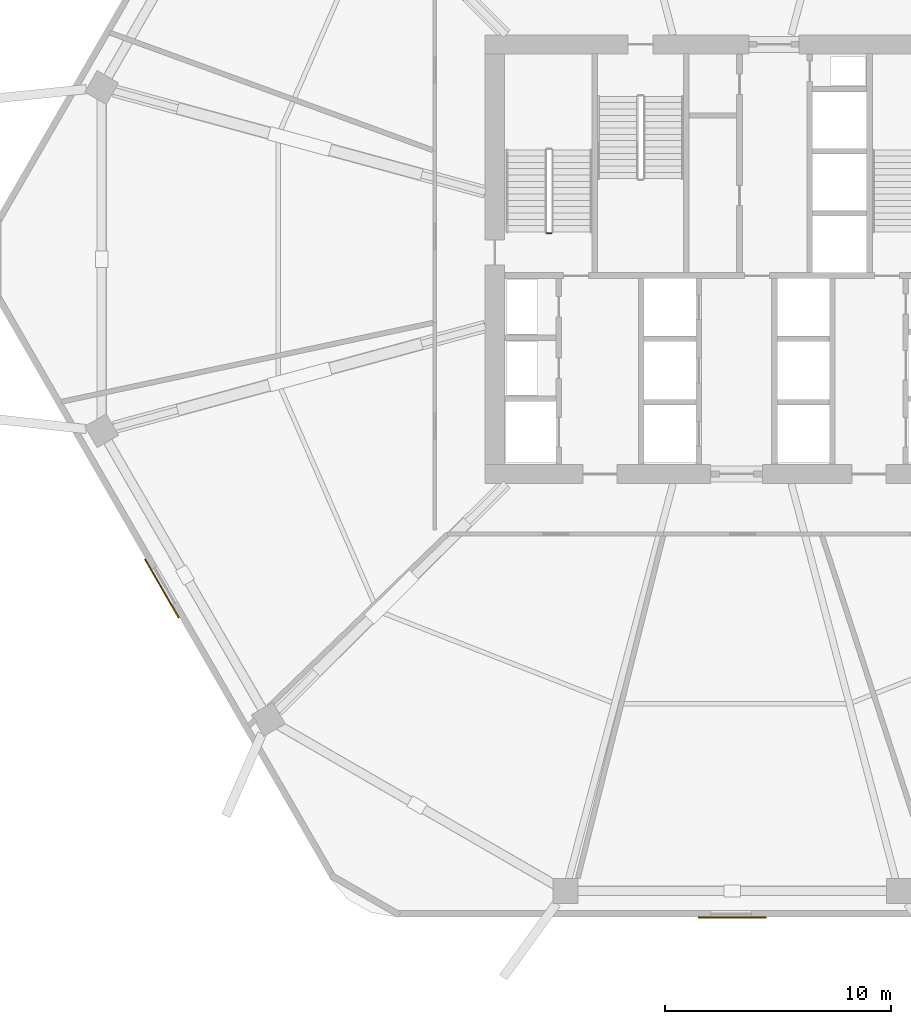
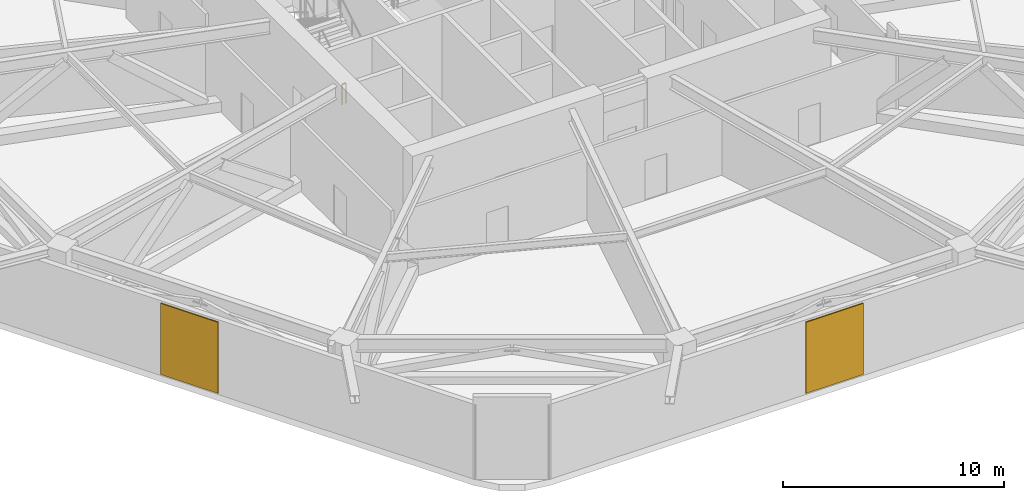
# One storey, part 7 of 10: 2 shading devices, 1 railing.
"""IFC4 building model written with IfcOpenShell, lengths in metres."""

from ifc_helpers import new_model, si_unit, direction, frame, origin, origin_2d, place, context, subcontext, project, spatial, rectangle, extrude, material, layer, layer_set, type_object, element, save


model = new_model("IFC4")

# Units and contexts
model_context = context("Model", 3, precision=1e-05, world=origin(), true_north=direction((0.0, 1.0)))
body_context = subcontext(model_context, "Body", "Model", "MODEL_VIEW")
ifc_project = project(units=[si_unit("LENGTHUNIT", "METRE"), si_unit("AREAUNIT", "SQUARE_METRE"), si_unit("VOLUMEUNIT", "CUBIC_METRE"), si_unit("PLANEANGLEUNIT", "RADIAN"), si_unit("MASSUNIT", "GRAM", prefix="KILO")], contexts=[model_context])

# Site, building, storey
site_placement = place(None, origin())
site = spatial("IfcSite", under=ifc_project, at=site_placement, CompositionType="ELEMENT")
building_placement = place(site_placement, origin())
building = spatial("IfcBuilding", under=site, at=building_placement, Name="Zuhravey Tower", CompositionType="ELEMENT")
storey_placement = place(building_placement, frame((0.0, 0.0, 87.60009765625)))
storey = spatial("IfcBuildingStorey", under=building, at=storey_placement, Name="L21", CompositionType="ELEMENT", Elevation=87.60009765625)

# Shading devices
ifc_material_1 = material(Name="Bronze-anodised perforated aluminium", Category="aluminium")
ifc_layer = layer(ifc_material_1, 0.06005859375)
ifc_layer_set = layer_set([ifc_layer], Name="Bronze-anodised perforated aluminium")
shading_device_type = type_object("IfcShadingDeviceType", Name="Girih Mashrabiya Solar Screen", PredefinedType="USERDEFINED", material=ifc_layer_set)
for number, where, z_axis, x_axis, name in (
    (1, (36.0, 2.87158203125, 0.099609375), (0.0, 0.0, 1.0), (-1.0, 0.0, 0.0), "L21 Face 5 Girih Solar Screen SCR1"),
    (2, (10.77392578125, 17.435791015625, 0.099609375), (0.0, 0.0, 1.0), (-0.5, 0.866025403784, 0.0), "L21 Face 4 Girih Solar Screen SCR1"),
):
    element("IfcShadingDevice", number, at=place(storey_placement, frame(where, z_axis=z_axis, x_axis=x_axis)), inside=storey, type_object=shading_device_type, Name=name, ObjectType="SCREEN", PredefinedType="USERDEFINED", context=body_context, shape_type="SweptSolid", body=[
        extrude(rectangle(XDim=3.0, YDim=0.06005859375, at=origin_2d()), origin(), (0.0, 0.0, 1.0), 3.922119140625),
    ])

# Railing
ifc_material_2 = material(Name="Painted tubular steel", Category="steel")
railing_type = type_object("IfcRailingType", Name="Stair Well Guardrail 1150", PredefinedType="GUARDRAIL", material=ifc_material_2)
railing_placement = place(storey_placement, frame((28.0, 33.14990234375, 0.0)))
element("IfcRailing", 3, at=railing_placement, inside=storey, type_object=railing_type, Name="L21 ST1 stair guard 4", PredefinedType="GUARDRAIL", context=body_context, shape_type="SweptSolid", body=[
    extrude(rectangle(XDim=0.048095703125, YDim=0.048095703125, at=origin_2d()), frame((-0.001953125, 0.0, 1.1259765625), z_axis=(-1.0, 0.0, 0.0), x_axis=(0.0, -1.0, 0.0)), (0.0, 0.0, 1.0), 0.196044921875),
    extrude(rectangle(XDim=0.0419921875, YDim=0.0419921875, at=origin_2d()), origin(), (0.0, 0.0, 1.0), 1.099853515625),
    extrude(rectangle(XDim=0.0419921875, YDim=0.0419921875, at=origin_2d()), frame((-0.199951171875, 0.0, 0.0)), (0.0, 0.0, 1.0), 1.099853515625),
])

save(model, "model.ifc")
